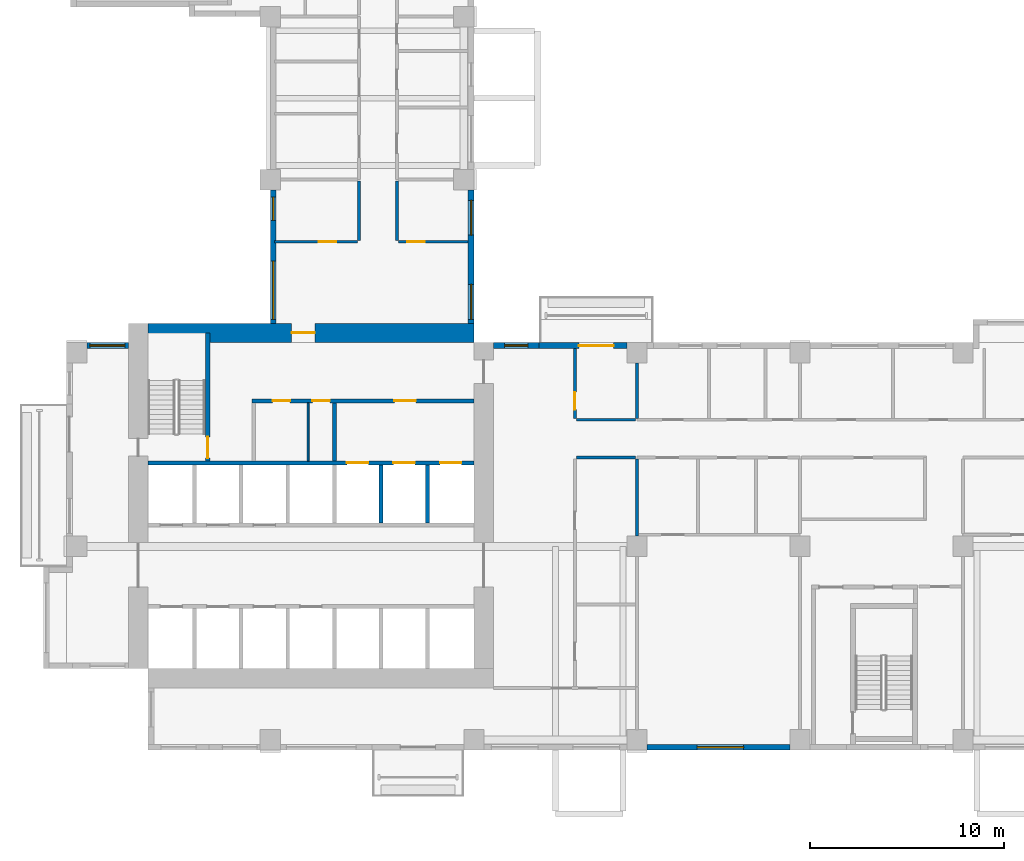
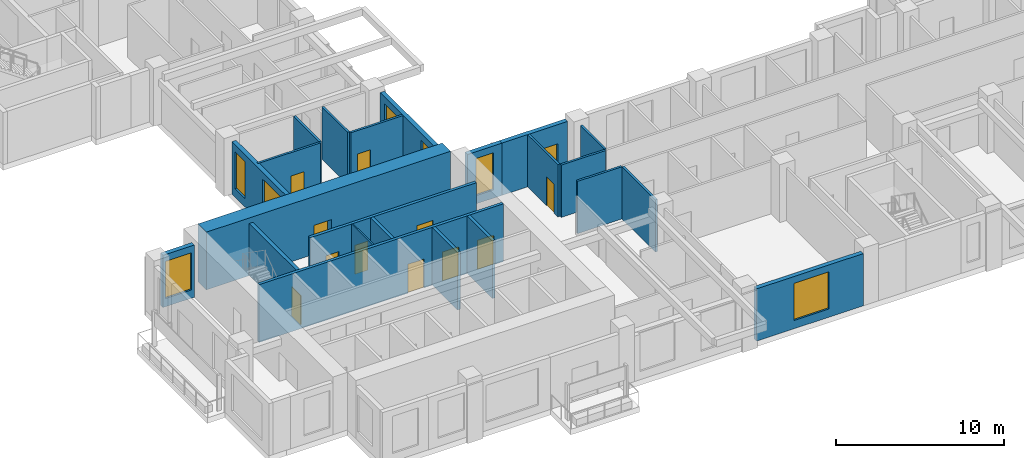
# One storey, part 3 of 14: 23 walls, 12 doors, 7 windows, 19 openings.
"""IFC4 building model written with IfcOpenShell, lengths in metres."""

import ifcopenshell
import ifcopenshell.guid

model = None  # the IFC model being written
_history = None  # IfcOwnerHistory: only IFC2X3 demands one
_inside = {}  # id of a spatial element -> (the spatial element, [elements in it])
_under = {}  # id of a project, library or spatial element -> (it, [spatial elements below it])
_declared = {}  # id of a project -> (the project, [libraries it declares])
_typed = {}  # id of a type object -> (the type object, [elements of that type])
_made_of = {}  # id of a material, layer set ... -> (it, [elements and type objects made of it])


def new_model(schema):
    """Start an empty IFC model of exactly this schema.

    Asked for "IFC4X3", IfcOpenShell would pick the latest addendum, in which some entities
    have other attributes; the version numbers below select the first issue.
    IFC2X3 requires an IfcOwnerHistory on every rooted entity: one is made here for all.
    """
    global model, _history
    if schema == "IFC4X3":
        model = ifcopenshell.file(schema_version=(4, 3, 0, 0))
    else:
        model = ifcopenshell.file(schema=schema)
    _inside.clear()
    _under.clear()
    _declared.clear()
    _typed.clear()
    _made_of.clear()
    _history = None
    if model.schema == "IFC2X3":
        org = make("IfcOrganization", Name="unknown")
        user = make(
            "IfcPersonAndOrganization",
            ThePerson=make("IfcPerson", FamilyName="unknown"),
            TheOrganization=org,
        )
        app = make(
            "IfcApplication",
            ApplicationDeveloper=org,
            Version="unknown",
            ApplicationFullName="unknown",
            ApplicationIdentifier="unknown",
        )
        _history = make(
            "IfcOwnerHistory",
            OwningUser=user,
            OwningApplication=app,
            ChangeAction="ADDED",
            CreationDate=0,
        )
    return model


def make(cls, **values):
    """One entity of the class cls with the attributes given. An attribute that is None is left unset."""
    return model.create_entity(
        cls, **{name: value for name, value in values.items() if value is not None}
    )


def rooted(cls, **values):
    """An entity with a GlobalId (a new one), such as an element, a storey or a relation."""
    return make(cls, GlobalId=ifcopenshell.guid.new(), OwnerHistory=_history, **values)


def si_unit(unit_type, name, prefix=None):
    """IfcSIUnit, for example si_unit("LENGTHUNIT", "METRE", prefix="MILLI")."""
    return make("IfcSIUnit", UnitType=unit_type, Prefix=prefix, Name=name)


def assignment(units):
    """IfcUnitAssignment: the units of a project."""
    return None if units is None else make("IfcUnitAssignment", Units=units)


def point(xyz):
    """IfcCartesianPoint."""
    return None if xyz is None else make("IfcCartesianPoint", Coordinates=xyz)


def direction(xyz):
    """IfcDirection."""
    return None if xyz is None else make("IfcDirection", DirectionRatios=xyz)


def frame(location, z_axis=None, x_axis=None):
    """IfcAxis2Placement3D, a coordinate frame: its origin and axes. An axis left out is left unset."""
    return make(
        "IfcAxis2Placement3D",
        Location=point(location),
        Axis=direction(z_axis),
        RefDirection=direction(x_axis),
    )


def frame_2d(location, x_axis=None):
    """IfcAxis2Placement2D, a coordinate frame in the plane: its origin and x axis."""
    return make(
        "IfcAxis2Placement2D", Location=point(location), RefDirection=direction(x_axis)
    )


def origin():
    """The frame at (0, 0, 0) with its axes left unset."""
    return frame((0.0, 0.0, 0.0))


def place(relative_to, where):
    """IfcLocalPlacement: puts the frame where relative to a parent placement (None: the world)."""
    return make(
        "IfcLocalPlacement", PlacementRelTo=relative_to, RelativePlacement=where
    )


def context(
    kind, dimensions, precision=None, world=None, true_north=None, identifier=None
):
    """IfcGeometricRepresentationContext, for example the 3D "Model" context."""
    return make(
        "IfcGeometricRepresentationContext",
        ContextIdentifier=identifier,
        ContextType=kind,
        CoordinateSpaceDimension=dimensions,
        Precision=precision,
        WorldCoordinateSystem=world,
        TrueNorth=true_north,
    )


def subcontext(parent, identifier, kind, view, scale=None):
    """IfcGeometricRepresentationSubContext, for example "Body" below "Model"."""
    return make(
        "IfcGeometricRepresentationSubContext",
        ContextIdentifier=identifier,
        ContextType=kind,
        ParentContext=parent,
        TargetScale=scale,
        TargetView=view,
    )


def project(units=None, contexts=None):
    """IfcProject with its units and contexts."""
    return rooted(
        "IfcProject",
        Name="project",
        RepresentationContexts=contexts,
        UnitsInContext=assignment(units),
    )


def spatial(cls, under=None, at=None, **own):
    """A site, building, storey or space (cls), placed at a placement, below another one or the project."""
    s = rooted(cls, ObjectPlacement=at, **own)
    if under is not None:
        _under.setdefault(under.id(), (under, []))[1].append(s)
    return s


def profile(cls, at=None, kind="AREA", **sizes):
    """A parametric profile (cls). Its sizes go by their IFC names, for example OverallWidth=200.0."""
    return make(cls, ProfileType=kind, Position=at, **sizes)


def rectangle(**sizes):
    """IfcRectangleProfileDef."""
    return profile("IfcRectangleProfileDef", **sizes)


def extrude(swept, where, along, depth):
    """IfcExtrudedAreaSolid: the profile swept, set in the frame where, extruded along a direction by depth."""
    return make(
        "IfcExtrudedAreaSolid",
        SweptArea=swept,
        Position=where,
        ExtrudedDirection=direction(along),
        Depth=depth,
    )


def shape(context_of_items, identifier, shape_type, items):
    """IfcShapeRepresentation: the items that make up one representation, for example the "Body"."""
    return make(
        "IfcShapeRepresentation",
        ContextOfItems=context_of_items,
        RepresentationIdentifier=identifier,
        RepresentationType=shape_type,
        Items=items,
    )


def source(mapping_origin, context_of_items, identifier, shape_type, items):
    """IfcRepresentationMap: a shape defined once, which mapped items show again and again."""
    return make(
        "IfcRepresentationMap",
        MappingOrigin=mapping_origin,
        MappedRepresentation=shape(context_of_items, identifier, shape_type, items),
    )


def transform(
    local_origin,
    x_axis=None,
    y_axis=None,
    z_axis=None,
    scale=None,
    scale2=None,
    scale3=None,
    uniform=True,
):
    """IfcCartesianTransformationOperator3D, or its non-uniform kind. x_axis, y_axis, z_axis: its Axis1, 2, 3."""
    if uniform:
        return make(
            "IfcCartesianTransformationOperator3D",
            Axis1=direction(x_axis),
            Axis2=direction(y_axis),
            LocalOrigin=point(local_origin),
            Scale=scale,
            Axis3=direction(z_axis),
        )
    return make(
        "IfcCartesianTransformationOperator3DnonUniform",
        Axis1=direction(x_axis),
        Axis2=direction(y_axis),
        LocalOrigin=point(local_origin),
        Scale=scale,
        Axis3=direction(z_axis),
        Scale2=scale2,
        Scale3=scale3,
    )


def mapped(mapping_source, mapping_target):
    """IfcMappedItem: shows the shape of a source again, moved by a transform."""
    return make(
        "IfcMappedItem", MappingSource=mapping_source, MappingTarget=mapping_target
    )


def material(Name=None, Category=None):
    """IfcMaterial."""
    return make("IfcMaterial", Name=Name, Category=Category)


def layer(
    of_material, thickness, ventilated=None, Name=None, Category=None, Priority=None
):
    """IfcMaterialLayer: one layer of a wall or slab, of a material (None: an air gap)."""
    return make(
        "IfcMaterialLayer",
        Material=of_material,
        LayerThickness=thickness,
        IsVentilated=ventilated,
        Name=Name,
        Category=Category,
        Priority=Priority,
    )


def layer_set(layers, Name=None):
    """IfcMaterialLayerSet."""
    return make("IfcMaterialLayerSet", MaterialLayers=layers, LayerSetName=Name)


def made_of(thing, what):
    """Note that an element or type object is made of a material, layer set ...; save() writes the relation."""
    if what is not None:
        _made_of.setdefault(what.id(), (what, []))[1].append(thing)
    return thing


def type_object(cls, material=None, **own):
    """A type object (cls), such as IfcWallType, which elements share."""
    return made_of(rooted(cls, **own), material)


def element(
    cls,
    number,
    at=None,
    inside=None,
    cuts=None,
    type_object=None,
    material=None,
    context=None,
    identifier="Body",
    shape_type=None,
    held_by="IfcProductDefinitionShape",
    body=None,
    shapes=None,
    **own,
):
    """One element of the class cls, such as IfcWall. Its Tag is "e" and its number.

    at: its placement. inside: the storey or other place that contains it. cuts: it is an
    opening in that element (IfcRelVoidsElement). A single representation is given by context,
    identifier, shape_type and body (its items); several are given by shapes. held_by: the class
    of the entity that holds the representations. save() writes the other relations.
    """
    e = rooted(cls, Tag="e%d" % number, ObjectPlacement=at, **own)
    if body is not None:
        shapes = [shape(context, identifier, shape_type, body)]
    if shapes is not None:
        e.Representation = make(held_by, Representations=shapes)
    if inside is not None:
        _inside.setdefault(inside.id(), (inside, []))[1].append(e)
    if cuts is not None:
        rooted(
            "IfcRelVoidsElement", RelatingBuildingElement=cuts, RelatedOpeningElement=e
        )
    if type_object is not None:
        _typed.setdefault(type_object.id(), (type_object, []))[1].append(e)
    return made_of(e, material)


def fill(opening, filler):
    """IfcRelFillsElement: the door or window that sits in an opening."""
    return rooted(
        "IfcRelFillsElement",
        RelatingOpeningElement=opening,
        RelatedBuildingElement=filler,
    )


def aggregate(whole, parts):
    """IfcRelAggregates: a whole, such as a stair, and the parts it consists of."""
    return rooted("IfcRelAggregates", RelatingObject=whole, RelatedObjects=parts)


def save(model, path):
    """Write the relations noted so far, then the file.

    IfcRelAggregates (storeys below a building ...), IfcRelContainedInSpatialStructure (elements
    in a storey), IfcRelDefinesByType, IfcRelAssociatesMaterial and IfcRelDeclares: one each for
    every whole, place, type object, material and project.
    """
    for whole, parts in _under.values():
        aggregate(whole, parts)
    for where, things in _inside.values():
        rooted(
            "IfcRelContainedInSpatialStructure",
            RelatedElements=things,
            RelatingStructure=where,
        )
    for kind, things in _typed.values():
        rooted("IfcRelDefinesByType", RelatedObjects=things, RelatingType=kind)
    for what, things in _made_of.values():
        rooted("IfcRelAssociatesMaterial", RelatedObjects=things, RelatingMaterial=what)
    for by, libraries in _declared.values():
        rooted("IfcRelDeclares", RelatingContext=by, RelatedDefinitions=libraries)
    model.write(path)


model = new_model("IFC4")

# Units and contexts
model_context = context("Model", 3, precision=1e-05, world=origin(), true_north=direction((0.0, 1.0)))
body_context = subcontext(model_context, "Body", "Model", "MODEL_VIEW")
ifc_project = project(units=[si_unit("LENGTHUNIT", "METRE"), si_unit("AREAUNIT", "SQUARE_METRE"), si_unit("VOLUMEUNIT", "CUBIC_METRE"), si_unit("PLANEANGLEUNIT", "RADIAN"), si_unit("MASSUNIT", "GRAM", prefix="KILO")], contexts=[model_context])

# Site, building, storey
site_placement = place(None, origin())
site = spatial("IfcSite", under=ifc_project, at=site_placement, CompositionType="ELEMENT")
building_placement = place(site_placement, origin())
building = spatial("IfcBuilding", under=site, at=building_placement, Name="Aurelian Terraces", CompositionType="ELEMENT")
storey_placement = place(building_placement, frame((0.0, 0.0, 128.7)))
storey = spatial("IfcBuildingStorey", under=building, at=storey_placement, Name="L28", CompositionType="ELEMENT", Elevation=128.7)

# Wall, opening, door
ifc_material_1 = material(Name="Terracotta rainscreen cladding", Category="masonry")
ifc_layer_1 = layer(ifc_material_1, 0.3)
ifc_layer_set_1 = layer_set([ifc_layer_1], Name="EW-300")
wall_type_1 = type_object("IfcWallType", Name="EW-300", PredefinedType="STANDARD", material=ifc_layer_set_1)
wall_1_placement = place(storey_placement, frame((28.875, 20.85, 0.0), z_axis=(0.0, 0.0, 1.0), x_axis=(-1.0, 0.0, 0.0)))
wall_1 = element("IfcWall", 1, at=wall_1_placement, inside=storey, type_object=wall_type_1, Name="External wall L28 F07.23", PredefinedType="STANDARD", context=body_context, shape_type="SweptSolid", body=[
    extrude(rectangle(XDim=4.515, YDim=0.3, at=frame_2d((2.2575, 0.0))), origin(), (0.0, 0.0, 1.0), 3.8),
])
shared_shape_1 = source(origin(), body_context, "Body", "SweptSolid", [
    extrude(rectangle(XDim=1.8, YDim=2.4, at=frame_2d((0.9, 1.2))), frame((0.0, 0.16, 0.0), z_axis=(0.0, -1.0, 0.0), x_axis=(1.0, 0.0, 0.0)), (0.0, 0.0, 1.0), 0.32),
])
opening_1_placement = place(wall_1_placement, frame((0.675, 0.0, 0.0)))
opening_1 = element("IfcOpeningElement", 2, at=opening_1_placement, cuts=wall_1, Name="Opening 82802", PredefinedType="OPENING", context=body_context, shape_type="MappedRepresentation", body=[
    mapped(shared_shape_1, transform((0.0, 0.0, 0.0), scale=1.0)),
])
ifc_material_2 = material(Name="Clear glazing", Category="glass")
door_type_1 = type_object("IfcDoorType", Name="BD-1800x2400", OperationType="SLIDING_TO_LEFT", PredefinedType="DOOR", material=ifc_material_2)
shared_shape_2 = source(origin(), body_context, "Body", "SweptSolid", [
    extrude(rectangle(XDim=1.8, YDim=2.4, at=frame_2d((0.9, 1.2))), frame((0.0, 0.025, 0.0), z_axis=(0.0, -1.0, 0.0), x_axis=(1.0, 0.0, 0.0)), (0.0, 0.0, 1.0), 0.05),
])
door_1_placement = place(opening_1_placement, origin())
door_1 = element("IfcDoor", 3, at=door_1_placement, inside=storey, type_object=door_type_1, Name="Balcony door L28 F07.23", OperationType="SLIDING_TO_LEFT", OverallHeight=2.4, OverallWidth=1.8, PredefinedType="DOOR", context=body_context, shape_type="MappedRepresentation", body=[
    mapped(shared_shape_2, transform((0.0, 0.0, 0.0), scale=1.0)),
])
fill(opening_1, door_1)

ifc_material_3 = material(Name="Concrete fc' 83 MPa", Category="concrete")
ifc_layer_2 = layer(ifc_material_3, 1.0)
ifc_layer_set_2 = layer_set([ifc_layer_2], Name="CORE WALL 1000 FC83")
wall_type_2 = type_object("IfcWallType", Name="CORE WALL 1000 FC83", PredefinedType="SHEAR", material=ifc_layer_set_2)
shared_shape_3 = source(origin(), body_context, "Body", "SweptSolid", [
    extrude(rectangle(XDim=16.8, YDim=1.0, at=frame_2d((8.4, 0.0))), origin(), (0.0, 0.0, 1.0), 4.2),
])
wall_2_placement = place(storey_placement, frame((4.2, 21.5, 0.0), z_axis=(0.0, 0.0, 1.0), x_axis=(1.0, 0.0, 0.0)))
wall_2 = element("IfcWall", 4, at=wall_2_placement, inside=storey, type_object=wall_type_2, Name="Core wall N L28", PredefinedType="SHEAR", context=body_context, shape_type="MappedRepresentation", body=[
    mapped(shared_shape_3, transform((0.0, 0.0, 0.0), scale=1.0)),
])
shared_shape_4 = source(origin(), body_context, "Body", "SweptSolid", [
    extrude(rectangle(XDim=1.2, YDim=2.1, at=frame_2d((0.6, 1.05))), frame((0.0, 0.51, 0.0), z_axis=(0.0, -1.0, 0.0), x_axis=(1.0, 0.0, 0.0)), (0.0, 0.0, 1.0), 1.02),
])
opening_2_placement = place(wall_2_placement, frame((7.4, 0.0, 0.0)))
opening_2 = element("IfcOpeningElement", 5, at=opening_2_placement, cuts=wall_2, Name="Opening 63122", PredefinedType="OPENING", context=body_context, shape_type="MappedRepresentation", body=[
    mapped(shared_shape_4, transform((0.0, 0.0, 0.0), scale=1.0)),
])
ifc_material_4 = material(Name="Steel door leaf", Category="steel")
door_type_2 = type_object("IfcDoorType", Name="Core fire door 1200x2100 right", OperationType="SINGLE_SWING_RIGHT", PredefinedType="DOOR", material=ifc_material_4)
shared_shape_5 = source(origin(), body_context, "Body", "SweptSolid", [
    extrude(rectangle(XDim=1.2, YDim=2.1, at=frame_2d((0.6, 1.05))), frame((0.0, 0.025, 0.0), z_axis=(0.0, -1.0, 0.0), x_axis=(1.0, 0.0, 0.0)), (0.0, 0.0, 1.0), 0.05),
])
door_2_placement = place(opening_2_placement, origin())
door_2 = element("IfcDoor", 6, at=door_2_placement, inside=storey, type_object=door_type_2, Name="Core door 63122", OperationType="SINGLE_SWING_RIGHT", OverallHeight=2.1, OverallWidth=1.2, PredefinedType="DOOR", context=body_context, shape_type="MappedRepresentation", body=[
    mapped(shared_shape_5, transform((0.0, 0.0, 0.0), scale=1.0)),
])
fill(opening_2, door_2)

# Wall, opening, window
shared_shape_6 = source(origin(), body_context, "Body", "SweptSolid", [
    extrude(rectangle(XDim=7.35, YDim=0.3, at=frame_2d((3.675, 0.0))), origin(), (0.0, 0.0, 1.0), 3.8),
])
wall_3_placement = place(storey_placement, frame((29.925, 0.15, 0.0), z_axis=(0.0, 0.0, 1.0), x_axis=(1.0, 0.0, 0.0)))
wall_3 = element("IfcWall", 7, at=wall_3_placement, inside=storey, type_object=wall_type_1, Name="External wall L28 F01.6", PredefinedType="STANDARD", context=body_context, shape_type="MappedRepresentation", body=[
    mapped(shared_shape_6, transform((0.0, 0.0, 0.0), scale=1.0)),
])
shared_shape_7 = source(origin(), body_context, "Body", "SweptSolid", [
    extrude(rectangle(XDim=2.4, YDim=2.7, at=frame_2d((1.2, 1.35))), frame((0.0, 0.16, 0.0), z_axis=(0.0, -1.0, 0.0), x_axis=(1.0, 0.0, 0.0)), (0.0, 0.0, 1.0), 0.32),
])
opening_3_placement = place(wall_3_placement, frame((2.575, 0.0, 0.6)))
opening_3 = element("IfcOpeningElement", 8, at=opening_3_placement, cuts=wall_3, Name="Opening W2427", PredefinedType="OPENING", context=body_context, shape_type="MappedRepresentation", body=[
    mapped(shared_shape_7, transform((0.0, 0.0, 0.0), scale=1.0)),
])
window_type_1 = type_object("IfcWindowType", Name="W-2400x2700", PartitioningType="SINGLE_PANEL", PredefinedType="WINDOW", material=ifc_material_2)
shared_shape_8 = source(origin(), body_context, "Body", "SweptSolid", [
    extrude(rectangle(XDim=2.4, YDim=2.7, at=frame_2d((1.2, 1.35))), frame((0.0, 0.03, 0.0), z_axis=(0.0, -1.0, 0.0), x_axis=(1.0, 0.0, 0.0)), (0.0, 0.0, 1.0), 0.06),
])
window_1_placement = place(opening_3_placement, origin())
window_1 = element("IfcWindow", 9, at=window_1_placement, inside=storey, type_object=window_type_1, Name="Window L28 L28-F01-06-P0", OverallHeight=2.7, OverallWidth=2.4, PartitioningType="SINGLE_PANEL", PredefinedType="WINDOW", context=body_context, shape_type="MappedRepresentation", body=[
    mapped(shared_shape_8, transform((0.0, 0.0, 0.0), scale=1.0)),
])
fill(opening_3, window_1)

# Wall, openings, windows
shared_shape_9 = source(origin(), body_context, "Body", "SweptSolid", [
    extrude(rectangle(XDim=6.875, YDim=0.3, at=frame_2d((3.4375, 0.0))), origin(), (0.0, 0.0, 1.0), 3.8),
])
wall_4_placement = place(storey_placement, frame((20.85, 22.0, 0.0), z_axis=(0.0, 0.0, 1.0), x_axis=(0.0, 1.0, 0.0)))
wall_4 = element("IfcWall", 10, at=wall_4_placement, inside=storey, type_object=wall_type_1, Name="External wall L28 F08.25", PredefinedType="STANDARD", context=body_context, shape_type="MappedRepresentation", body=[
    mapped(shared_shape_9, transform((0.0, 0.0, 0.0), scale=1.0)),
])
shared_shape_10 = source(origin(), body_context, "Body", "SweptSolid", [
    extrude(rectangle(XDim=1.8, YDim=2.7, at=frame_2d((0.9, 1.35))), frame((0.0, 0.16, 0.0), z_axis=(0.0, -1.0, 0.0), x_axis=(1.0, 0.0, 0.0)), (0.0, 0.0, 1.0), 0.32),
])
opening_4_placement = place(wall_4_placement, frame((0.2, 0.0, 0.6)))
opening_4 = element("IfcOpeningElement", 11, at=opening_4_placement, cuts=wall_4, Name="Opening W1827", PredefinedType="OPENING", context=body_context, shape_type="MappedRepresentation", body=[
    mapped(shared_shape_10, transform((0.0, 0.0, 0.0), scale=1.0)),
])
opening_5_placement = place(wall_4_placement, frame((4.5375, 0.0, 0.6)))
opening_5 = element("IfcOpeningElement", 12, at=opening_5_placement, cuts=wall_4, Name="Opening W1827", PredefinedType="OPENING", context=body_context, shape_type="MappedRepresentation", body=[
    mapped(shared_shape_10, transform((0.0, 0.0, 0.0), scale=1.0)),
])
window_type_2 = type_object("IfcWindowType", Name="W-1800x2700", PartitioningType="SINGLE_PANEL", PredefinedType="WINDOW", material=ifc_material_2)
shared_shape_11 = source(origin(), body_context, "Body", "SweptSolid", [
    extrude(rectangle(XDim=1.8, YDim=2.7, at=frame_2d((0.9, 1.35))), frame((0.0, 0.03, 0.0), z_axis=(0.0, -1.0, 0.0), x_axis=(1.0, 0.0, 0.0)), (0.0, 0.0, 1.0), 0.06),
])
window_2_placement = place(opening_4_placement, origin())
window_2 = element("IfcWindow", 13, at=window_2_placement, inside=storey, type_object=window_type_2, Name="Window L28 L28-F08-25-0", OverallHeight=2.7, OverallWidth=1.8, PartitioningType="SINGLE_PANEL", PredefinedType="WINDOW", context=body_context, shape_type="MappedRepresentation", body=[
    mapped(shared_shape_11, transform((0.0, 0.0, 0.0), scale=1.0)),
])
fill(opening_4, window_2)
window_3_placement = place(opening_5_placement, origin())
window_3 = element("IfcWindow", 14, at=window_3_placement, inside=storey, type_object=window_type_2, Name="Window L28 L28-F08-25-1", OverallHeight=2.7, OverallWidth=1.8, PartitioningType="SINGLE_PANEL", PredefinedType="WINDOW", context=body_context, shape_type="MappedRepresentation", body=[
    mapped(shared_shape_11, transform((0.0, 0.0, 0.0), scale=1.0)),
])
fill(opening_5, window_3)

wall_5_placement = place(storey_placement, frame((10.65, 28.875, 0.0), z_axis=(0.0, 0.0, 1.0), x_axis=(0.0, -1.0, 0.0)))
wall_5 = element("IfcWall", 15, at=wall_5_placement, inside=storey, type_object=wall_type_1, Name="External wall L28 F18.39", PredefinedType="STANDARD", context=body_context, shape_type="MappedRepresentation", body=[
    mapped(shared_shape_9, transform((0.0, 0.0, 0.0), scale=1.0)),
])
shared_shape_12 = source(origin(), body_context, "Body", "SweptSolid", [
    extrude(rectangle(XDim=1.2, YDim=2.7, at=frame_2d((0.6, 1.35))), frame((0.0, 0.16, 0.0), z_axis=(0.0, -1.0, 0.0), x_axis=(1.0, 0.0, 0.0)), (0.0, 0.0, 1.0), 0.32),
])
opening_6_placement = place(wall_5_placement, frame((0.375, 0.0, 0.6)))
opening_6 = element("IfcOpeningElement", 16, at=opening_6_placement, cuts=wall_5, Name="Opening W1227", PredefinedType="OPENING", context=body_context, shape_type="MappedRepresentation", body=[
    mapped(shared_shape_12, transform((0.0, 0.0, 0.0), scale=1.0)),
])
shared_shape_13 = source(origin(), body_context, "Body", "SweptSolid", [
    extrude(rectangle(XDim=3.0, YDim=2.7, at=frame_2d((1.5, 1.35))), frame((0.0, 0.16, 0.0), z_axis=(0.0, -1.0, 0.0), x_axis=(1.0, 0.0, 0.0)), (0.0, 0.0, 1.0), 0.32),
])
opening_7_placement = place(wall_5_placement, frame((3.675, 0.0, 0.6)))
opening_7 = element("IfcOpeningElement", 17, at=opening_7_placement, cuts=wall_5, Name="Opening W3027", PredefinedType="OPENING", context=body_context, shape_type="MappedRepresentation", body=[
    mapped(shared_shape_13, transform((0.0, 0.0, 0.0), scale=1.0)),
])
window_type_3 = type_object("IfcWindowType", Name="W-1200x2700", PartitioningType="SINGLE_PANEL", PredefinedType="WINDOW", material=ifc_material_2)
shared_shape_14 = source(origin(), body_context, "Body", "SweptSolid", [
    extrude(rectangle(XDim=1.2, YDim=2.7, at=frame_2d((0.6, 1.35))), frame((0.0, 0.03, 0.0), z_axis=(0.0, -1.0, 0.0), x_axis=(1.0, 0.0, 0.0)), (0.0, 0.0, 1.0), 0.06),
])
window_4_placement = place(opening_6_placement, origin())
window_4 = element("IfcWindow", 18, at=window_4_placement, inside=storey, type_object=window_type_3, Name="Window L28 L28-F18-39-2", OverallHeight=2.7, OverallWidth=1.2, PartitioningType="SINGLE_PANEL", PredefinedType="WINDOW", context=body_context, shape_type="MappedRepresentation", body=[
    mapped(shared_shape_14, transform((0.0, 0.0, 0.0), scale=1.0)),
])
fill(opening_6, window_4)
window_type_4 = type_object("IfcWindowType", Name="W-3000x2700", PartitioningType="SINGLE_PANEL", PredefinedType="WINDOW", material=ifc_material_2)
shared_shape_15 = source(origin(), body_context, "Body", "SweptSolid", [
    extrude(rectangle(XDim=3.0, YDim=2.7, at=frame_2d((1.5, 1.35))), frame((0.0, 0.03, 0.0), z_axis=(0.0, -1.0, 0.0), x_axis=(1.0, 0.0, 0.0)), (0.0, 0.0, 1.0), 0.06),
])
window_5_placement = place(opening_7_placement, origin())
window_5 = element("IfcWindow", 19, at=window_5_placement, inside=storey, type_object=window_type_4, Name="Window L28 L28-F18-39-3", OverallHeight=2.7, OverallWidth=3.0, PartitioningType="SINGLE_PANEL", PredefinedType="WINDOW", context=body_context, shape_type="MappedRepresentation", body=[
    mapped(shared_shape_15, transform((0.0, 0.0, 0.0), scale=1.0)),
])
fill(opening_7, window_5)

# Wall, opening, window
shared_shape_16 = source(origin(), body_context, "Body", "SweptSolid", [
    extrude(rectangle(XDim=2.15, YDim=0.3, at=frame_2d((1.075, 0.0))), origin(), (0.0, 0.0, 1.0), 3.8),
])
wall_6_placement = place(storey_placement, frame((3.2, 20.85, 0.0), z_axis=(0.0, 0.0, 1.0), x_axis=(-1.0, 0.0, 0.0)))
wall_6 = element("IfcWall", 20, at=wall_6_placement, inside=storey, type_object=wall_type_1, Name="External wall L28 F21.42", PredefinedType="STANDARD", context=body_context, shape_type="MappedRepresentation", body=[
    mapped(shared_shape_16, transform((0.0, 0.0, 0.0), scale=1.0)),
])
opening_8_placement = place(wall_6_placement, frame((0.2, 0.0, 0.6)))
opening_8 = element("IfcOpeningElement", 21, at=opening_8_placement, cuts=wall_6, Name="Opening W1827", PredefinedType="OPENING", context=body_context, shape_type="MappedRepresentation", body=[
    mapped(shared_shape_10, transform((0.0, 0.0, 0.0), scale=1.0)),
])
window_6_placement = place(opening_8_placement, origin())
window_6 = element("IfcWindow", 22, at=window_6_placement, inside=storey, type_object=window_type_2, Name="Window L28 L28-F21-42-0", OverallHeight=2.7, OverallWidth=1.8, PartitioningType="SINGLE_PANEL", PredefinedType="WINDOW", context=body_context, shape_type="MappedRepresentation", body=[
    mapped(shared_shape_11, transform((0.0, 0.0, 0.0), scale=1.0)),
])
fill(opening_8, window_6)

shared_shape_17 = source(origin(), body_context, "Body", "SweptSolid", [
    extrude(rectangle(XDim=2.36, YDim=0.3, at=frame_2d((1.18, 0.0))), origin(), (0.0, 0.0, 1.0), 3.8),
])
wall_7_placement = place(storey_placement, frame((24.36, 20.85, 0.0), z_axis=(0.0, 0.0, 1.0), x_axis=(-1.0, 0.0, 0.0)))
wall_7 = element("IfcWall", 23, at=wall_7_placement, inside=storey, type_object=wall_type_1, Name="External wall L28 F07.24", PredefinedType="STANDARD", context=body_context, shape_type="MappedRepresentation", body=[
    mapped(shared_shape_17, transform((0.0, 0.0, 0.0), scale=1.0)),
])
opening_9_placement = place(wall_7_placement, frame((0.58, 0.0, 0.6)))
opening_9 = element("IfcOpeningElement", 24, at=opening_9_placement, cuts=wall_7, Name="Opening W1227", PredefinedType="OPENING", context=body_context, shape_type="MappedRepresentation", body=[
    mapped(shared_shape_12, transform((0.0, 0.0, 0.0), scale=1.0)),
])
window_7_placement = place(opening_9_placement, origin())
window_7 = element("IfcWindow", 25, at=window_7_placement, inside=storey, type_object=window_type_3, Name="Window L28 L28-F07-24-P0", OverallHeight=2.7, OverallWidth=1.2, PartitioningType="SINGLE_PANEL", PredefinedType="WINDOW", context=body_context, shape_type="MappedRepresentation", body=[
    mapped(shared_shape_14, transform((0.0, 0.0, 0.0), scale=1.0)),
])
fill(opening_9, window_7)

# Walls
ifc_material_5 = material(Name="Concrete fc' 40 MPa", Category="concrete")
ifc_layer_3 = layer(ifc_material_5, 0.2)
ifc_layer_set_3 = layer_set([ifc_layer_3], Name="Lift shaft wall 200")
wall_type_3 = type_object("IfcWallType", Name="Lift shaft wall 200", PredefinedType="SOLIDWALL", material=ifc_layer_set_3)
shared_shape_18 = source(origin(), body_context, "Body", "SweptSolid", [
    extrude(rectangle(XDim=3.0, YDim=0.2, at=frame_2d((1.5, 0.0))), origin(), (0.0, 0.0, 1.0), 4.2),
])
for number, where, z_axis, x_axis, name in (
    (26, (16.2, 11.7, 0.0), (0.0, 0.0, 1.0), (0.0, 1.0, 0.0), "L28 core wall CD-B5"),
    (27, (18.6, 11.7, 0.0), (0.0, 0.0, 1.0), (0.0, 1.0, 0.0), "L28 core wall CD-B6"),
):
    element("IfcWall", number, at=place(storey_placement, frame(where, z_axis=z_axis, x_axis=x_axis)), inside=storey, type_object=wall_type_3, Name=name, PredefinedType="SOLIDWALL", context=body_context, shape_type="MappedRepresentation", body=[
        mapped(shared_shape_18, transform((0.0, 0.0, 0.0), scale=1.0)),
    ])

# Wall, openings, doors
shared_shape_19 = source(origin(), body_context, "Body", "SweptSolid", [
    extrude(rectangle(XDim=16.8, YDim=0.2, at=frame_2d((8.4, 0.0))), origin(), (0.0, 0.0, 1.0), 4.2),
])
wall_8_placement = place(storey_placement, frame((4.2, 14.8, 0.0), z_axis=(0.0, 0.0, 1.0), x_axis=(1.0, 0.0, 0.0)))
wall_8 = element("IfcWall", 28, at=wall_8_placement, inside=storey, type_object=wall_type_3, Name="L28 core wall CF-BB1", PredefinedType="SOLIDWALL", context=body_context, shape_type="MappedRepresentation", body=[
    mapped(shared_shape_19, transform((0.0, 0.0, 0.0), scale=1.0)),
])
shared_shape_20 = source(origin(), body_context, "Body", "SweptSolid", [
    extrude(rectangle(XDim=1.1, YDim=2.1, at=frame_2d((0.55, 1.05))), frame((0.0, 0.11, 0.0), z_axis=(0.0, -1.0, 0.0), x_axis=(1.0, 0.0, 0.0)), (0.0, 0.0, 1.0), 0.22),
])
opening_10_placement = place(wall_8_placement, frame((10.25, 0.0, 0.0)))
opening_10 = element("IfcOpeningElement", 29, at=opening_10_placement, cuts=wall_8, Name="Opening 63107", PredefinedType="OPENING", context=body_context, shape_type="MappedRepresentation", body=[
    mapped(shared_shape_20, transform((0.0, 0.0, 0.0), scale=1.0)),
])
opening_11_placement = place(wall_8_placement, frame((12.65, 0.0, 0.0)))
opening_11 = element("IfcOpeningElement", 30, at=opening_11_placement, cuts=wall_8, Name="Opening 63108", PredefinedType="OPENING", context=body_context, shape_type="MappedRepresentation", body=[
    mapped(shared_shape_20, transform((0.0, 0.0, 0.0), scale=1.0)),
])
opening_12_placement = place(wall_8_placement, frame((15.05, 0.0, 0.0)))
opening_12 = element("IfcOpeningElement", 31, at=opening_12_placement, cuts=wall_8, Name="Opening 63109", PredefinedType="OPENING", context=body_context, shape_type="MappedRepresentation", body=[
    mapped(shared_shape_20, transform((0.0, 0.0, 0.0), scale=1.0)),
])
ifc_material_6 = material(Name="Stainless steel", Category="steel")
door_type_3 = type_object("IfcDoorType", Name="Lift landing door 1100x2100", OperationType="SLIDING_TO_LEFT", PredefinedType="DOOR", material=ifc_material_6)
shared_shape_21 = source(origin(), body_context, "Body", "SweptSolid", [
    extrude(rectangle(XDim=1.1, YDim=2.1, at=frame_2d((0.55, 1.05))), frame((0.0, 0.025, 0.0), z_axis=(0.0, -1.0, 0.0), x_axis=(1.0, 0.0, 0.0)), (0.0, 0.0, 1.0), 0.05),
])
door_3_placement = place(opening_10_placement, origin())
door_3 = element("IfcDoor", 32, at=door_3_placement, inside=storey, type_object=door_type_3, Name="Lift landing door F1 L28", OperationType="SLIDING_TO_LEFT", OverallHeight=2.1, OverallWidth=1.1, PredefinedType="DOOR", context=body_context, shape_type="MappedRepresentation", body=[
    mapped(shared_shape_21, transform((0.0, 0.0, 0.0), scale=1.0)),
])
fill(opening_10, door_3)
door_4_placement = place(opening_11_placement, origin())
door_4 = element("IfcDoor", 33, at=door_4_placement, inside=storey, type_object=door_type_3, Name="Lift landing door F2 L28", OperationType="SLIDING_TO_LEFT", OverallHeight=2.1, OverallWidth=1.1, PredefinedType="DOOR", context=body_context, shape_type="MappedRepresentation", body=[
    mapped(shared_shape_21, transform((0.0, 0.0, 0.0), scale=1.0)),
])
fill(opening_11, door_4)
door_5_placement = place(opening_12_placement, origin())
door_5 = element("IfcDoor", 34, at=door_5_placement, inside=storey, type_object=door_type_3, Name="Lift landing door F3 L28", OperationType="SLIDING_TO_LEFT", OverallHeight=2.1, OverallWidth=1.1, PredefinedType="DOOR", context=body_context, shape_type="MappedRepresentation", body=[
    mapped(shared_shape_21, transform((0.0, 0.0, 0.0), scale=1.0)),
])
fill(opening_12, door_5)

# Walls
ifc_material_7 = material(Name="Gypsum board on steel studs", Category="steel")
ifc_layer_4 = layer(ifc_material_7, 0.2)
ifc_layer_set_4 = layer_set([ifc_layer_4], Name="Core partition 200")
wall_type_4 = type_object("IfcWallType", Name="Core partition 200", PredefinedType="PARTITIONING", material=ifc_layer_set_4)
shared_shape_22 = source(origin(), body_context, "Body", "SweptSolid", [
    extrude(rectangle(XDim=3.0, YDim=0.2, at=frame_2d((1.5, 0.0))), origin(), (0.0, 0.0, 1.0), 3.8),
])
wall_9_placement = place(storey_placement, frame((13.8, 14.9, 0.0), z_axis=(0.0, 0.0, 1.0), x_axis=(0.0, 1.0, 0.0)))
element("IfcWall", 35, at=wall_9_placement, inside=storey, type_object=wall_type_4, Name="L28 core wall CP-FFL", PredefinedType="PARTITIONING", context=body_context, shape_type="MappedRepresentation", body=[
    mapped(shared_shape_22, transform((0.0, 0.0, 0.0), scale=1.0)),
])
ifc_layer_5 = layer(ifc_material_7, 0.1)
ifc_layer_set_5 = layer_set([ifc_layer_5], Name="Core partition 100")
wall_type_5 = type_object("IfcWallType", Name="Core partition 100", PredefinedType="PARTITIONING", material=ifc_layer_set_5)
shared_shape_23 = source(origin(), body_context, "Body", "SweptSolid", [
    extrude(rectangle(XDim=3.0, YDim=0.1, at=frame_2d((1.5, 0.0))), origin(), (0.0, 0.0, 1.0), 3.8),
])
wall_10_placement = place(storey_placement, frame((12.45, 14.9, 0.0), z_axis=(0.0, 0.0, 1.0), x_axis=(0.0, 1.0, 0.0)))
element("IfcWall", 36, at=wall_10_placement, inside=storey, type_object=wall_type_5, Name="L28 core wall CP-SV1", PredefinedType="PARTITIONING", context=body_context, shape_type="MappedRepresentation", body=[
    mapped(shared_shape_23, transform((0.0, 0.0, 0.0), scale=1.0)),
])

# Wall, opening, door
ifc_layer_6 = layer(ifc_material_5, 0.25)
ifc_layer_set_6 = layer_set([ifc_layer_6], Name="Stair enclosure wall 250")
wall_type_6 = type_object("IfcWallType", Name="Stair enclosure wall 250", PredefinedType="SOLIDWALL", material=ifc_layer_set_6)
shared_shape_24 = source(origin(), body_context, "Body", "SweptSolid", [
    extrude(rectangle(XDim=6.6, YDim=0.25, at=frame_2d((3.3, 0.0))), origin(), (0.0, 0.0, 1.0), 3.8),
])
wall_11_placement = place(storey_placement, frame((7.275, 14.9, 0.0), z_axis=(0.0, 0.0, 1.0), x_axis=(0.0, 1.0, 0.0)))
wall_11 = element("IfcWall", 37, at=wall_11_placement, inside=storey, type_object=wall_type_6, Name="L28 core wall ST-S1-E", PredefinedType="SOLIDWALL", context=body_context, shape_type="MappedRepresentation", body=[
    mapped(shared_shape_24, transform((0.0, 0.0, 0.0), scale=1.0)),
])
shared_shape_25 = source(origin(), body_context, "Body", "SweptSolid", [
    extrude(rectangle(XDim=1.1, YDim=2.1, at=frame_2d((0.55, 1.05))), frame((0.0, 0.135, 0.0), z_axis=(0.0, -1.0, 0.0), x_axis=(1.0, 0.0, 0.0)), (0.0, 0.0, 1.0), 0.27),
])
opening_13_placement = place(wall_11_placement, frame((0.15, 0.0, 0.0)))
opening_13 = element("IfcOpeningElement", 38, at=opening_13_placement, cuts=wall_11, Name="Opening 63110", PredefinedType="OPENING", context=body_context, shape_type="MappedRepresentation", body=[
    mapped(shared_shape_25, transform((0.0, 0.0, 0.0), scale=1.0)),
])
door_type_4 = type_object("IfcDoorType", Name="Core fire door 1100x2100 right", OperationType="SINGLE_SWING_RIGHT", PredefinedType="DOOR", material=ifc_material_4)
door_6_placement = place(opening_13_placement, origin())
door_6 = element("IfcDoor", 39, at=door_6_placement, inside=storey, type_object=door_type_4, Name="Stair door 63110", OperationType="SINGLE_SWING_RIGHT", OverallHeight=2.1, OverallWidth=1.1, PredefinedType="DOOR", context=body_context, shape_type="MappedRepresentation", body=[
    mapped(shared_shape_21, transform((0.0, 0.0, 0.0), scale=1.0)),
])
fill(opening_13, door_6)

# Wall, openings, doors
shared_shape_26 = source(origin(), body_context, "Body", "SweptSolid", [
    extrude(rectangle(XDim=11.45, YDim=0.2, at=frame_2d((5.725, 0.0))), origin(), (0.0, 0.0, 1.0), 3.8),
])
wall_12_placement = place(storey_placement, frame((9.55, 18.0, 0.0), z_axis=(0.0, 0.0, 1.0), x_axis=(1.0, 0.0, 0.0)))
wall_12 = element("IfcWall", 40, at=wall_12_placement, inside=storey, type_object=wall_type_4, Name="L28 core wall CP-NORTH", PredefinedType="PARTITIONING", context=body_context, shape_type="MappedRepresentation", body=[
    mapped(shared_shape_26, transform((0.0, 0.0, 0.0), scale=1.0)),
])
shared_shape_27 = source(origin(), body_context, "Body", "SweptSolid", [
    extrude(rectangle(XDim=0.9, YDim=2.1, at=frame_2d((0.45, 1.05))), frame((0.0, 0.11, 0.0), z_axis=(0.0, -1.0, 0.0), x_axis=(1.0, 0.0, 0.0)), (0.0, 0.0, 1.0), 0.22),
])
opening_14_placement = place(wall_12_placement, frame((1.075, 0.0, 0.0)))
opening_14 = element("IfcOpeningElement", 41, at=opening_14_placement, cuts=wall_12, Name="Opening 63111", PredefinedType="OPENING", context=body_context, shape_type="MappedRepresentation", body=[
    mapped(shared_shape_27, transform((0.0, 0.0, 0.0), scale=1.0)),
])
opening_15_placement = place(wall_12_placement, frame((3.125, 0.0, 0.0)))
opening_15 = element("IfcOpeningElement", 42, at=opening_15_placement, cuts=wall_12, Name="Opening 63112", PredefinedType="OPENING", context=body_context, shape_type="MappedRepresentation", body=[
    mapped(shared_shape_27, transform((0.0, 0.0, 0.0), scale=1.0)),
])
opening_16_placement = place(wall_12_placement, frame((7.35, 0.0, 0.0)))
opening_16 = element("IfcOpeningElement", 43, at=opening_16_placement, cuts=wall_12, Name="Opening 63113", PredefinedType="OPENING", context=body_context, shape_type="MappedRepresentation", body=[
    mapped(shared_shape_20, transform((0.0, 0.0, 0.0), scale=1.0)),
])
door_type_5 = type_object("IfcDoorType", Name="Core service door 900x2100", OperationType="SINGLE_SWING_LEFT", PredefinedType="DOOR", material=ifc_material_4)
shared_shape_28 = source(origin(), body_context, "Body", "SweptSolid", [
    extrude(rectangle(XDim=0.9, YDim=2.1, at=frame_2d((0.45, 1.05))), frame((0.0, 0.025, 0.0), z_axis=(0.0, -1.0, 0.0), x_axis=(1.0, 0.0, 0.0)), (0.0, 0.0, 1.0), 0.05),
])
door_7_placement = place(opening_14_placement, origin())
door_7 = element("IfcDoor", 44, at=door_7_placement, inside=storey, type_object=door_type_5, Name="Room door 63111", OperationType="SINGLE_SWING_LEFT", OverallHeight=2.1, OverallWidth=0.9, PredefinedType="DOOR", context=body_context, shape_type="MappedRepresentation", body=[
    mapped(shared_shape_28, transform((0.0, 0.0, 0.0), scale=1.0)),
])
fill(opening_14, door_7)
door_type_6 = type_object("IfcDoorType", Name="Core riser door 900x2100 right", OperationType="SINGLE_SWING_RIGHT", PredefinedType="DOOR", material=ifc_material_4)
door_8_placement = place(opening_15_placement, origin())
door_8 = element("IfcDoor", 45, at=door_8_placement, inside=storey, type_object=door_type_6, Name="Room door 63112", OperationType="SINGLE_SWING_RIGHT", OverallHeight=2.1, OverallWidth=0.9, PredefinedType="DOOR", context=body_context, shape_type="MappedRepresentation", body=[
    mapped(shared_shape_28, transform((0.0, 0.0, 0.0), scale=1.0)),
])
fill(opening_15, door_8)
door_type_7 = type_object("IfcDoorType", Name="Core fire door 1100x2100", OperationType="SINGLE_SWING_LEFT", PredefinedType="DOOR", material=ifc_material_4)
door_9_placement = place(opening_16_placement, origin())
door_9 = element("IfcDoor", 46, at=door_9_placement, inside=storey, type_object=door_type_7, Name="Ff lobby door 63113", OperationType="SINGLE_SWING_LEFT", OverallHeight=2.1, OverallWidth=1.1, PredefinedType="DOOR", context=body_context, shape_type="MappedRepresentation", body=[
    mapped(shared_shape_21, transform((0.0, 0.0, 0.0), scale=1.0)),
])
fill(opening_16, door_9)

# Wall, opening, door
ifc_layer_7 = layer(ifc_material_7, 0.15)
ifc_layer_set_7 = layer_set([ifc_layer_7], Name="Partition 150")
wall_type_7 = type_object("IfcWallType", Name="Partition 150", PredefinedType="PARTITIONING", material=ifc_layer_set_7)
shared_shape_29 = source(origin(), body_context, "Body", "SweptSolid", [
    extrude(rectangle(XDim=3.6, YDim=0.15, at=frame_2d((1.8, 0.0))), origin(), (0.0, 0.0, 1.0), 3.8),
])
wall_13_placement = place(storey_placement, frame((26.2, 20.7, 0.0), z_axis=(0.0, 0.0, 1.0), x_axis=(0.0, -1.0, 0.0)))
wall_13 = element("IfcWall", 47, at=wall_13_placement, inside=storey, type_object=wall_type_7, Name="Partition", PredefinedType="PARTITIONING", context=body_context, shape_type="MappedRepresentation", body=[
    mapped(shared_shape_29, transform((0.0, 0.0, 0.0), scale=1.0)),
])
shared_shape_30 = source(origin(), body_context, "Body", "SweptSolid", [
    extrude(rectangle(XDim=0.9, YDim=2.1, at=frame_2d((0.45, 1.05))), frame((0.0, 0.085, 0.0), z_axis=(0.0, -1.0, 0.0), x_axis=(1.0, 0.0, 0.0)), (0.0, 0.0, 1.0), 0.17),
])
opening_17_placement = place(wall_13_placement, frame((2.25, 0.0, 0.0)))
opening_17 = element("IfcOpeningElement", 48, at=opening_17_placement, cuts=wall_13, Name="Opening 728003", PredefinedType="OPENING", context=body_context, shape_type="MappedRepresentation", body=[
    mapped(shared_shape_30, transform((0.0, 0.0, 0.0), scale=1.0)),
])
ifc_material_8 = material(Name="Timber door leaf", Category="wood")
door_type_8 = type_object("IfcDoorType", Name="Room door 900x2100 right", OperationType="SINGLE_SWING_RIGHT", PredefinedType="DOOR", material=ifc_material_8)
door_10_placement = place(opening_17_placement, origin())
door_10 = element("IfcDoor", 49, at=door_10_placement, inside=storey, type_object=door_type_8, Name="Door 728003", OperationType="SINGLE_SWING_RIGHT", OverallHeight=2.1, OverallWidth=0.9, PredefinedType="DOOR", context=body_context, shape_type="MappedRepresentation", body=[
    mapped(shared_shape_28, transform((0.0, 0.0, 0.0), scale=1.0)),
])
fill(opening_17, door_10)

wall_14_placement = place(storey_placement, frame((17.1, 26.2, 0.0), z_axis=(0.0, 0.0, 1.0), x_axis=(1.0, 0.0, 0.0)))
wall_14 = element("IfcWall", 50, at=wall_14_placement, inside=storey, type_object=wall_type_7, Name="Partition", PredefinedType="PARTITIONING", context=body_context, shape_type="MappedRepresentation", body=[
    mapped(shared_shape_29, transform((0.0, 0.0, 0.0), scale=1.0)),
])
opening_18_placement = place(wall_14_placement, frame((0.45, 0.0, 0.0)))
opening_18 = element("IfcOpeningElement", 51, at=opening_18_placement, cuts=wall_14, Name="Opening 728028", PredefinedType="OPENING", context=body_context, shape_type="MappedRepresentation", body=[
    mapped(shared_shape_30, transform((0.0, 0.0, 0.0), scale=1.0)),
])
door_11_placement = place(opening_18_placement, origin())
door_11 = element("IfcDoor", 52, at=door_11_placement, inside=storey, type_object=door_type_8, Name="Door 728028", OperationType="SINGLE_SWING_RIGHT", OverallHeight=2.1, OverallWidth=0.9, PredefinedType="DOOR", context=body_context, shape_type="MappedRepresentation", body=[
    mapped(shared_shape_28, transform((0.0, 0.0, 0.0), scale=1.0)),
])
fill(opening_18, door_11)

shared_shape_31 = source(origin(), body_context, "Body", "SweptSolid", [
    extrude(rectangle(XDim=4.295, YDim=0.15, at=frame_2d((2.1475, 0.0))), origin(), (0.0, 0.0, 1.0), 3.8),
])
wall_15_placement = place(storey_placement, frame((10.705, 26.2, 0.0), z_axis=(0.0, 0.0, 1.0), x_axis=(1.0, 0.0, 0.0)))
wall_15 = element("IfcWall", 53, at=wall_15_placement, inside=storey, type_object=wall_type_7, Name="Partition", PredefinedType="PARTITIONING", context=body_context, shape_type="MappedRepresentation", body=[
    mapped(shared_shape_31, transform((0.0, 0.0, 0.0), scale=1.0)),
])
opening_19_placement = place(wall_15_placement, frame((2.2825, 0.0, 0.0)))
opening_19 = element("IfcOpeningElement", 54, at=opening_19_placement, cuts=wall_15, Name="Opening 728027", PredefinedType="OPENING", context=body_context, shape_type="MappedRepresentation", body=[
    mapped(shared_shape_30, transform((0.0, 0.0, 0.0), scale=1.0)),
])
door_type_9 = type_object("IfcDoorType", Name="Room door 900x2100 left", OperationType="SINGLE_SWING_LEFT", PredefinedType="DOOR", material=ifc_material_8)
door_12_placement = place(opening_19_placement, origin())
door_12 = element("IfcDoor", 55, at=door_12_placement, inside=storey, type_object=door_type_9, Name="Door 728027", OperationType="SINGLE_SWING_LEFT", OverallHeight=2.1, OverallWidth=0.9, PredefinedType="DOOR", context=body_context, shape_type="MappedRepresentation", body=[
    mapped(shared_shape_28, transform((0.0, 0.0, 0.0), scale=1.0)),
])
fill(opening_19, door_12)

# Walls
shared_shape_32 = source(origin(), body_context, "Body", "SweptSolid", [
    extrude(rectangle(XDim=3.976, YDim=0.15, at=frame_2d((1.988, 0.0))), origin(), (0.0, 0.0, 1.0), 3.8),
])
wall_16_placement = place(storey_placement, frame((29.4, 11.024, 0.0), z_axis=(0.0, 0.0, 1.0), x_axis=(0.0, 1.0, 0.0)))
element("IfcWall", 56, at=wall_16_placement, inside=storey, type_object=wall_type_7, Name="Partition", PredefinedType="PARTITIONING", context=body_context, shape_type="MappedRepresentation", body=[
    mapped(shared_shape_32, transform((0.0, 0.0, 0.0), scale=1.0)),
])
shared_shape_33 = source(origin(), body_context, "Body", "SweptSolid", [
    extrude(rectangle(XDim=2.851, YDim=0.15, at=frame_2d((1.4255, 0.0))), origin(), (0.0, 0.0, 1.0), 3.8),
])
wall_17_placement = place(storey_placement, frame((29.4, 17.1, 0.0), z_axis=(0.0, 0.0, 1.0), x_axis=(0.0, 1.0, 0.0)))
element("IfcWall", 57, at=wall_17_placement, inside=storey, type_object=wall_type_7, Name="Partition", PredefinedType="PARTITIONING", context=body_context, shape_type="MappedRepresentation", body=[
    mapped(shared_shape_33, transform((0.0, 0.0, 0.0), scale=1.0)),
])
ifc_layer_8 = layer(ifc_material_7, 0.15)
ifc_layer_set_8 = layer_set([ifc_layer_8], Name="Fire partition 150")
wall_type_8 = type_object("IfcWallType", Name="Fire partition 150", PredefinedType="PARTITIONING", material=ifc_layer_set_8)
shared_shape_34 = source(origin(), body_context, "Body", "SweptSolid", [
    extrude(rectangle(XDim=3.05, YDim=0.15, at=frame_2d((1.525, 0.0))), origin(), (0.0, 0.0, 1.0), 3.8),
])
for number, where, z_axis, x_axis, name in (
    (58, (29.325, 15.075, 0.0), (0.0, 0.0, 1.0), (-1.0, 0.0, 0.0), "Corridor wall"),
    (59, (26.275, 17.025, 0.0), (0.0, 0.0, 1.0), (1.0, 0.0, 0.0), "Corridor wall"),
    (60, (15.075, 26.275, 0.0), (0.0, 0.0, 1.0), (0.0, 1.0, 0.0), "Corridor wall"),
    (61, (17.025, 29.325, 0.0), (0.0, 0.0, 1.0), (0.0, -1.0, 0.0), "Corridor wall"),
):
    element("IfcWall", number, at=place(storey_placement, frame(where, z_axis=z_axis, x_axis=x_axis)), inside=storey, type_object=wall_type_8, Name=name, PredefinedType="PARTITIONING", context=body_context, shape_type="MappedRepresentation", body=[
        mapped(shared_shape_34, transform((0.0, 0.0, 0.0), scale=1.0)),
    ])

save(model, "model.ifc")
